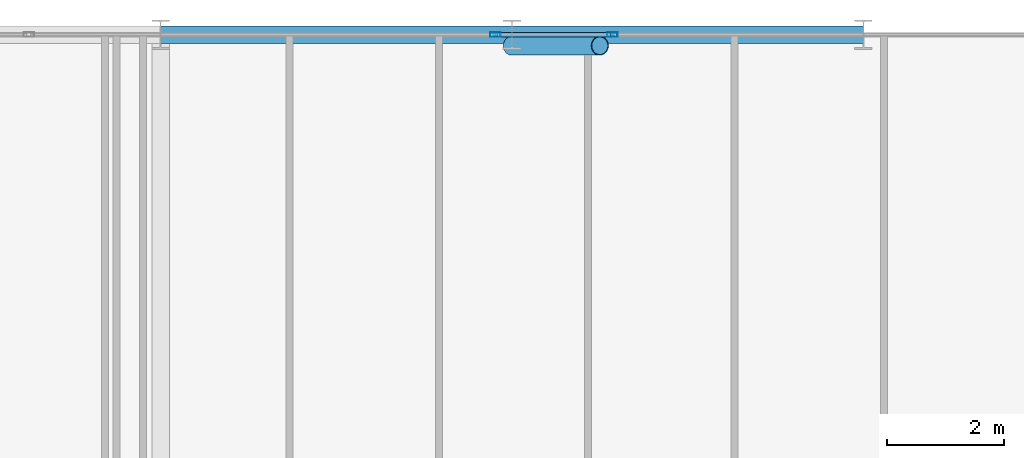
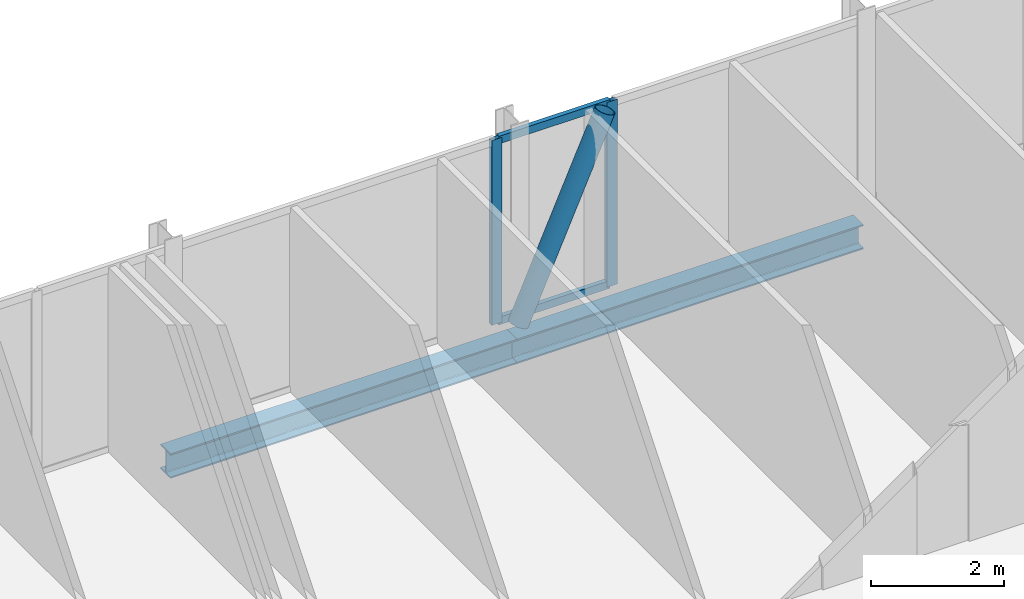
# One storey, part 20 of 31: 5 members, 2 beams, 2 elements without a shape of their own.
"""IFC4 building model written with IfcOpenShell, lengths in metres."""

import ifcopenshell
import ifcopenshell.guid

model = None  # the IFC model being written
_history = None  # IfcOwnerHistory: only IFC2X3 demands one
_inside = {}  # id of a spatial element -> (the spatial element, [elements in it])
_under = {}  # id of a project, library or spatial element -> (it, [spatial elements below it])
_declared = {}  # id of a project -> (the project, [libraries it declares])
_typed = {}  # id of a type object -> (the type object, [elements of that type])
_made_of = {}  # id of a material, layer set ... -> (it, [elements and type objects made of it])


def new_model(schema):
    """Start an empty IFC model of exactly this schema.

    Asked for "IFC4X3", IfcOpenShell would pick the latest addendum, in which some entities
    have other attributes; the version numbers below select the first issue.
    IFC2X3 requires an IfcOwnerHistory on every rooted entity: one is made here for all.
    """
    global model, _history
    if schema == "IFC4X3":
        model = ifcopenshell.file(schema_version=(4, 3, 0, 0))
    else:
        model = ifcopenshell.file(schema=schema)
    _inside.clear()
    _under.clear()
    _declared.clear()
    _typed.clear()
    _made_of.clear()
    _history = None
    if model.schema == "IFC2X3":
        org = make("IfcOrganization", Name="unknown")
        user = make(
            "IfcPersonAndOrganization",
            ThePerson=make("IfcPerson", FamilyName="unknown"),
            TheOrganization=org,
        )
        app = make(
            "IfcApplication",
            ApplicationDeveloper=org,
            Version="unknown",
            ApplicationFullName="unknown",
            ApplicationIdentifier="unknown",
        )
        _history = make(
            "IfcOwnerHistory",
            OwningUser=user,
            OwningApplication=app,
            ChangeAction="ADDED",
            CreationDate=0,
        )
    return model


def make(cls, **values):
    """One entity of the class cls with the attributes given. An attribute that is None is left unset."""
    return model.create_entity(
        cls, **{name: value for name, value in values.items() if value is not None}
    )


def rooted(cls, **values):
    """An entity with a GlobalId (a new one), such as an element, a storey or a relation."""
    return make(cls, GlobalId=ifcopenshell.guid.new(), OwnerHistory=_history, **values)


def si_unit(unit_type, name, prefix=None):
    """IfcSIUnit, for example si_unit("LENGTHUNIT", "METRE", prefix="MILLI")."""
    return make("IfcSIUnit", UnitType=unit_type, Prefix=prefix, Name=name)


def assignment(units):
    """IfcUnitAssignment: the units of a project."""
    return None if units is None else make("IfcUnitAssignment", Units=units)


def point(xyz):
    """IfcCartesianPoint."""
    return None if xyz is None else make("IfcCartesianPoint", Coordinates=xyz)


def direction(xyz):
    """IfcDirection."""
    return None if xyz is None else make("IfcDirection", DirectionRatios=xyz)


def frame(location, z_axis=None, x_axis=None):
    """IfcAxis2Placement3D, a coordinate frame: its origin and axes. An axis left out is left unset."""
    return make(
        "IfcAxis2Placement3D",
        Location=point(location),
        Axis=direction(z_axis),
        RefDirection=direction(x_axis),
    )


def frame_2d(location, x_axis=None):
    """IfcAxis2Placement2D, a coordinate frame in the plane: its origin and x axis."""
    return make(
        "IfcAxis2Placement2D", Location=point(location), RefDirection=direction(x_axis)
    )


def origin():
    """The frame at (0, 0, 0) with its axes left unset."""
    return frame((0.0, 0.0, 0.0))


def origin_2d():
    """The frame at (0, 0) in the plane with its x axis left unset."""
    return frame_2d((0.0, 0.0))


def place(relative_to, where):
    """IfcLocalPlacement: puts the frame where relative to a parent placement (None: the world)."""
    return make(
        "IfcLocalPlacement", PlacementRelTo=relative_to, RelativePlacement=where
    )


def context(
    kind, dimensions, precision=None, world=None, true_north=None, identifier=None
):
    """IfcGeometricRepresentationContext, for example the 3D "Model" context."""
    return make(
        "IfcGeometricRepresentationContext",
        ContextIdentifier=identifier,
        ContextType=kind,
        CoordinateSpaceDimension=dimensions,
        Precision=precision,
        WorldCoordinateSystem=world,
        TrueNorth=true_north,
    )


def subcontext(parent, identifier, kind, view, scale=None):
    """IfcGeometricRepresentationSubContext, for example "Body" below "Model"."""
    return make(
        "IfcGeometricRepresentationSubContext",
        ContextIdentifier=identifier,
        ContextType=kind,
        ParentContext=parent,
        TargetScale=scale,
        TargetView=view,
    )


def project(units=None, contexts=None):
    """IfcProject with its units and contexts."""
    return rooted(
        "IfcProject",
        Name="project",
        RepresentationContexts=contexts,
        UnitsInContext=assignment(units),
    )


def spatial(cls, under=None, at=None, **own):
    """A site, building, storey or space (cls), placed at a placement, below another one or the project."""
    s = rooted(cls, ObjectPlacement=at, **own)
    if under is not None:
        _under.setdefault(under.id(), (under, []))[1].append(s)
    return s


def profile(cls, at=None, kind="AREA", **sizes):
    """A parametric profile (cls). Its sizes go by their IFC names, for example OverallWidth=200.0."""
    return make(cls, ProfileType=kind, Position=at, **sizes)


def hollow_rectangle(**sizes):
    """IfcRectangleHollowProfileDef."""
    return profile("IfcRectangleHollowProfileDef", **sizes)


def hollow_circle(**sizes):
    """IfcCircleHollowProfileDef."""
    return profile("IfcCircleHollowProfileDef", **sizes)


def i_section(**sizes):
    """IfcIShapeProfileDef."""
    return profile("IfcIShapeProfileDef", **sizes)


def extrude(swept, where, along, depth):
    """IfcExtrudedAreaSolid: the profile swept, set in the frame where, extruded along a direction by depth."""
    return make(
        "IfcExtrudedAreaSolid",
        SweptArea=swept,
        Position=where,
        ExtrudedDirection=direction(along),
        Depth=depth,
    )


def shape(context_of_items, identifier, shape_type, items):
    """IfcShapeRepresentation: the items that make up one representation, for example the "Body"."""
    return make(
        "IfcShapeRepresentation",
        ContextOfItems=context_of_items,
        RepresentationIdentifier=identifier,
        RepresentationType=shape_type,
        Items=items,
    )


def material(Name=None, Category=None):
    """IfcMaterial."""
    return make("IfcMaterial", Name=Name, Category=Category)


def layer(
    of_material, thickness, ventilated=None, Name=None, Category=None, Priority=None
):
    """IfcMaterialLayer: one layer of a wall or slab, of a material (None: an air gap)."""
    return make(
        "IfcMaterialLayer",
        Material=of_material,
        LayerThickness=thickness,
        IsVentilated=ventilated,
        Name=Name,
        Category=Category,
        Priority=Priority,
    )


def layer_set(layers, Name=None):
    """IfcMaterialLayerSet."""
    return make("IfcMaterialLayerSet", MaterialLayers=layers, LayerSetName=Name)


def material_profile(
    of_material, cross_section, Name=None, Category=None, Priority=None
):
    """IfcMaterialProfile: a cross section and its material."""
    return make(
        "IfcMaterialProfile",
        Name=Name,
        Material=of_material,
        Profile=cross_section,
        Priority=Priority,
        Category=Category,
    )


def profile_set(profiles, Name=None, composite=None):
    """IfcMaterialProfileSet."""
    return make(
        "IfcMaterialProfileSet",
        Name=Name,
        MaterialProfiles=profiles,
        CompositeProfile=composite,
    )


def made_of(thing, what):
    """Note that an element or type object is made of a material, layer set ...; save() writes the relation."""
    if what is not None:
        _made_of.setdefault(what.id(), (what, []))[1].append(thing)
    return thing


def type_object(cls, material=None, **own):
    """A type object (cls), such as IfcWallType, which elements share."""
    return made_of(rooted(cls, **own), material)


def element(
    cls,
    number,
    at=None,
    inside=None,
    cuts=None,
    type_object=None,
    material=None,
    context=None,
    identifier="Body",
    shape_type=None,
    held_by="IfcProductDefinitionShape",
    body=None,
    shapes=None,
    **own,
):
    """One element of the class cls, such as IfcWall. Its Tag is "e" and its number.

    at: its placement. inside: the storey or other place that contains it. cuts: it is an
    opening in that element (IfcRelVoidsElement). A single representation is given by context,
    identifier, shape_type and body (its items); several are given by shapes. held_by: the class
    of the entity that holds the representations. save() writes the other relations.
    """
    e = rooted(cls, Tag="e%d" % number, ObjectPlacement=at, **own)
    if body is not None:
        shapes = [shape(context, identifier, shape_type, body)]
    if shapes is not None:
        e.Representation = make(held_by, Representations=shapes)
    if inside is not None:
        _inside.setdefault(inside.id(), (inside, []))[1].append(e)
    if cuts is not None:
        rooted(
            "IfcRelVoidsElement", RelatingBuildingElement=cuts, RelatedOpeningElement=e
        )
    if type_object is not None:
        _typed.setdefault(type_object.id(), (type_object, []))[1].append(e)
    return made_of(e, material)


def aggregate(whole, parts):
    """IfcRelAggregates: a whole, such as a stair, and the parts it consists of."""
    return rooted("IfcRelAggregates", RelatingObject=whole, RelatedObjects=parts)


def save(model, path):
    """Write the relations noted so far, then the file.

    IfcRelAggregates (storeys below a building ...), IfcRelContainedInSpatialStructure (elements
    in a storey), IfcRelDefinesByType, IfcRelAssociatesMaterial and IfcRelDeclares: one each for
    every whole, place, type object, material and project.
    """
    for whole, parts in _under.values():
        aggregate(whole, parts)
    for where, things in _inside.values():
        rooted(
            "IfcRelContainedInSpatialStructure",
            RelatedElements=things,
            RelatingStructure=where,
        )
    for kind, things in _typed.values():
        rooted("IfcRelDefinesByType", RelatedObjects=things, RelatingType=kind)
    for what, things in _made_of.values():
        rooted("IfcRelAssociatesMaterial", RelatedObjects=things, RelatingMaterial=what)
    for by, libraries in _declared.values():
        rooted("IfcRelDeclares", RelatingContext=by, RelatedDefinitions=libraries)
    model.write(path)


model = new_model("IFC4")

# Units and contexts
model_context = context("Model", 3, precision=1e-05, world=origin(), true_north=direction((0.0, 1.0)))
body_context = subcontext(model_context, "Body", "Model", "MODEL_VIEW")
ifc_project = project(units=[si_unit("LENGTHUNIT", "METRE"), si_unit("AREAUNIT", "SQUARE_METRE"), si_unit("VOLUMEUNIT", "CUBIC_METRE"), si_unit("PLANEANGLEUNIT", "RADIAN"), si_unit("MASSUNIT", "GRAM", prefix="KILO")], contexts=[model_context])

# Site, building, storey
site_placement = place(None, origin())
site = spatial("IfcSite", under=ifc_project, at=site_placement, CompositionType="ELEMENT")
building_placement = place(site_placement, origin())
building = spatial("IfcBuilding", under=site, at=building_placement, Name="Keshet Zoharim Tower", CompositionType="ELEMENT")
storey_placement = place(building_placement, frame((0.0, 0.0, 144.60009765625)))
storey = spatial("IfcBuildingStorey", under=building, at=storey_placement, Name="L35", CompositionType="ELEMENT", Elevation=144.60009765625)

# Beams
ifc_material_1 = material(Name="Steel S355", Category="steel")
ifc_material_profile_1 = material_profile(ifc_material_1, i_section(OverallWidth=0.300048828125, OverallDepth=0.449951171875, WebThickness=0.013916015625, FlangeThickness=0.02587890625, FilletRadius=0.027099609375, at=origin_2d()), Name="HEB450")
ifc_profile_set_1 = profile_set([ifc_material_profile_1], Name="Steel S355")
beam_type = type_object("IfcBeamType", Name="BM-WEB-HB450", PredefinedType="BEAM", material=ifc_profile_set_1)
for number, where, z_axis, x_axis, name in (
    (1, (33.0, 53.89990234375, -0.5400390625), (1.0, 0.0, 0.0), (0.0, 1.0, 0.0), "L35 Primary Girder X-022"),
    (2, (39.0, 53.89990234375, -0.5400390625), (1.0, 0.0, 0.0), (0.0, 1.0, 0.0), "L35 Primary Girder X-023"),
):
    element("IfcBeam", number, at=place(storey_placement, frame(where, z_axis=z_axis, x_axis=x_axis)), inside=storey, type_object=beam_type, Name=name, PredefinedType="BEAM", context=body_context, shape_type="SweptSolid", body=[
        extrude(i_section(OverallWidth=0.300048828125, OverallDepth=0.449951171875, WebThickness=0.013916015625, FlangeThickness=0.02587890625, FilletRadius=0.027099609375, at=origin_2d()), origin(), (0.0, 0.0, 1.0), 6.0),
    ])

# Curtain wall, member
ifc_material_2 = material(Name="Aluminium 6063-T6", Category="aluminium")
ifc_layer = layer(ifc_material_2, 0.159912109375)
ifc_layer_set = layer_set([ifc_layer], Name="Aluminium 6063-T6")
curtain_wall_type = type_object("IfcCurtainWallType", Name="CW-SYS-03", PredefinedType="NOTDEFINED", material=ifc_layer_set)
curtain_wall_1_placement = place(storey_placement, origin())
curtain_wall_1 = element("IfcCurtainWall", 3, at=curtain_wall_1_placement, inside=storey, type_object=curtain_wall_type, Name="L35 Unitised Curtain Wall 13 Part 3", PredefinedType="NOTDEFINED")
ifc_material_profile_2 = material_profile(ifc_material_2, hollow_rectangle(XDim=0.080078125, YDim=0.179931640625, WallThickness=0.00439453125, at=origin_2d()), Name="MUL-80x180")
ifc_profile_set_2 = profile_set([ifc_material_profile_2], Name="Aluminium 6063-T6")
member_type_1 = type_object("IfcMemberType", Name="CWM-M18", PredefinedType="MULLION", material=ifc_profile_set_2)
member_1_placement = place(storey_placement, frame((38.716796875, 53.89990234375, 0.0), z_axis=(0.0, 0.0, 1.0), x_axis=(0.0, 1.0, 0.0)))
member_1 = element("IfcMember", 4, at=member_1_placement, type_object=member_type_1, Name="CW-03 mullion 3", PredefinedType="MULLION", context=body_context, shape_type="SweptSolid", body=[
    extrude(hollow_rectangle(XDim=0.080078125, YDim=0.179931640625, WallThickness=0.00439453125, at=origin_2d()), origin(), (0.0, 0.0, 1.0), 3.385009765625),
])
aggregate(curtain_wall_1, [member_1])

# Curtain wall, members
curtain_wall_2_placement = place(storey_placement, origin())
curtain_wall_2 = element("IfcCurtainWall", 5, at=curtain_wall_2_placement, inside=storey, type_object=curtain_wall_type, Name="L35 Unitised Curtain Wall 13 Part 4", PredefinedType="NOTDEFINED")
member_2_placement = place(storey_placement, frame((40.713134765625, 53.89990234375, 0.0), z_axis=(0.0, 0.0, 1.0), x_axis=(0.0, 1.0, 0.0)))
member_2 = element("IfcMember", 6, at=member_2_placement, type_object=member_type_1, Name="CW-03 mullion 2", PredefinedType="MULLION", context=body_context, shape_type="SweptSolid", body=[
    extrude(hollow_rectangle(XDim=0.080078125, YDim=0.179931640625, WallThickness=0.00439453125, at=origin_2d()), origin(), (0.0, 0.0, 1.0), 3.385009765625),
])
ifc_material_profile_3 = material_profile(ifc_material_2, hollow_rectangle(XDim=0.080078125, YDim=0.139892578125, WallThickness=0.00390625, at=origin_2d()), Name="TRN-80x140")
ifc_profile_set_3 = profile_set([ifc_material_profile_3], Name="Aluminium 6063-T6")
member_type_2 = type_object("IfcMemberType", Name="CWT-T14", PredefinedType="USERDEFINED", material=ifc_profile_set_3)
member_3_placement = place(storey_placement, frame((38.751953125, 53.89990234375, 0.034912109375), z_axis=(1.0, 0.0, 0.0), x_axis=(0.0, 1.0, 0.0)))
member_3 = element("IfcMember", 7, at=member_3_placement, type_object=member_type_2, Name="CW-03 transom 1.1", ObjectType="TRANSOM", PredefinedType="USERDEFINED", context=body_context, shape_type="SweptSolid", body=[
    extrude(hollow_rectangle(XDim=0.080078125, YDim=0.139892578125, WallThickness=0.00390625, at=origin_2d()), origin(), (0.0, 0.0, 1.0), 1.926025390625),
])
member_4_placement = place(storey_placement, frame((38.751953125, 53.89990234375, 3.349853515625), z_axis=(1.0, 0.0, 0.0), x_axis=(0.0, 1.0, 0.0)))
member_4 = element("IfcMember", 8, at=member_4_placement, type_object=member_type_2, Name="CW-03 transom 1.2", ObjectType="TRANSOM", PredefinedType="USERDEFINED", context=body_context, shape_type="SweptSolid", body=[
    extrude(hollow_rectangle(XDim=0.080078125, YDim=0.139892578125, WallThickness=0.00390625, at=origin_2d()), origin(), (0.0, 0.0, 1.0), 1.926025390625),
])
aggregate(curtain_wall_2, [member_2, member_3, member_4])

# Member
ifc_material_profile_4 = material_profile(ifc_material_1, hollow_circle(Radius=0.161865234375, WallThickness=0.012451171875, at=origin_2d()), Name="CHS323x12.5")
ifc_profile_set_4 = profile_set([ifc_material_profile_4], Name="Steel S355")
member_type_3 = type_object("IfcMemberType", Name="MB-BR-C323", PredefinedType="BRACE", material=ifc_profile_set_4)
member_5_placement = place(storey_placement, frame((39.0, 53.7099609375, 0.0), z_axis=(0.405134846829, 0.0, 0.91425694194), x_axis=(0.0, 1.0, 0.0)))
element("IfcMember", 9, at=member_5_placement, inside=storey, type_object=member_type_3, Name="L35 Perimeter Tube Brace 04", PredefinedType="BRACE", context=body_context, shape_type="SweptSolid", body=[
    extrude(hollow_circle(Radius=0.161865234375, WallThickness=0.012451171875, at=origin_2d()), origin(), (0.0, 0.0, 1.0), 3.702392578125),
])

save(model, "model.ifc")
